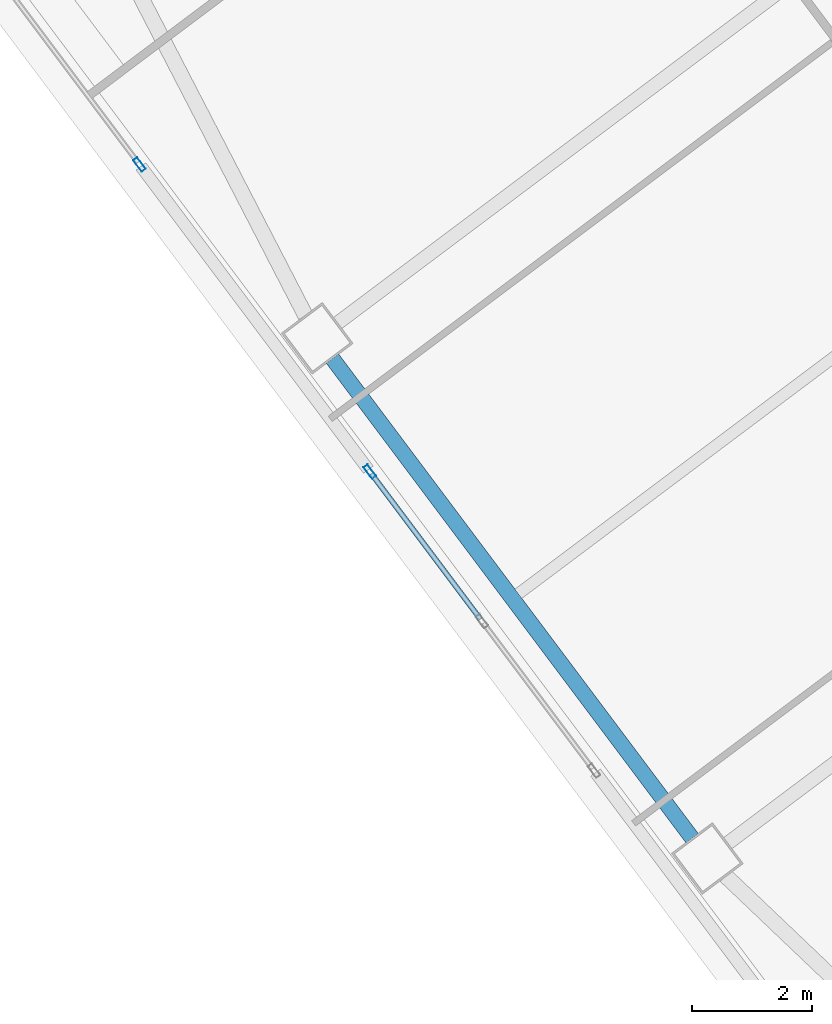
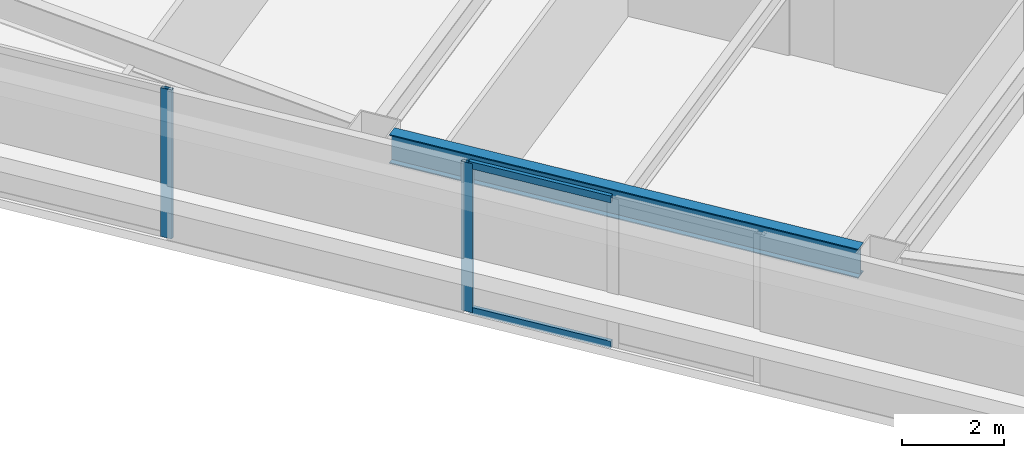
# One storey, part 18 of 45: 4 members, 1 beam, 2 elements without a shape of their own.
"""IFC4 building model written with IfcOpenShell, lengths in metres."""

from ifc_helpers import new_model, si_unit, direction, frame, origin, origin_2d, place, context, subcontext, project, spatial, hollow_rectangle, i_section, extrude, material, material_profile, profile_set, type_object, element, aggregate, save


model = new_model("IFC4")

# Units and contexts
model_context = context("Model", 3, precision=1e-05, world=origin(), true_north=direction((0.0, 1.0)))
body_context = subcontext(model_context, "Body", "Model", "MODEL_VIEW")
ifc_project = project(units=[si_unit("LENGTHUNIT", "METRE"), si_unit("AREAUNIT", "SQUARE_METRE"), si_unit("VOLUMEUNIT", "CUBIC_METRE"), si_unit("PLANEANGLEUNIT", "RADIAN"), si_unit("MASSUNIT", "GRAM", prefix="KILO")], contexts=[model_context])

# Site, building, storey
site_placement = place(None, origin())
site = spatial("IfcSite", under=ifc_project, at=site_placement, CompositionType="ELEMENT")
building_placement = place(site_placement, origin())
building = spatial("IfcBuilding", under=site, at=building_placement, Name="Tashvorn Skyway Center", CompositionType="ELEMENT")
storey_placement = place(building_placement, frame((0.0, 0.0, 35.25)))
storey = spatial("IfcBuildingStorey", under=building, at=storey_placement, Name="L08", CompositionType="ELEMENT", Elevation=35.25)

# Beam
ifc_material_1 = material(Name="Steel ASTM A992 Grade 50", Category="steel")
ifc_material_profile_1 = material_profile(ifc_material_1, i_section(OverallWidth=0.256103515625, OverallDepth=0.693115234375, WebThickness=0.014404296875, FlangeThickness=0.023681640625, at=origin_2d()), Name="W27X114")
ifc_profile_set_1 = profile_set([ifc_material_profile_1], Name="Steel ASTM A992 Grade 50")
beam_type = type_object("IfcBeamType", Name="BM-SPANDREL-W27X114", PredefinedType="SPANDREL", material=ifc_profile_set_1)
beam_placement = place(storey_placement, frame((94.172119140625, 23.35400390625, 3.00341796875), z_axis=(0.599988234018, -0.800008824351, 0.0), x_axis=(0.800008824351, 0.599988234018, 0.0)))
element("IfcBeam", 1, at=beam_placement, inside=storey, type_object=beam_type, Name="Tower 2 L08 Spandrel Beam 11", PredefinedType="SPANDREL", context=body_context, shape_type="SweptSolid", body=[
    extrude(i_section(OverallWidth=0.256103515625, OverallDepth=0.693115234375, WebThickness=0.014404296875, FlangeThickness=0.023681640625, at=origin_2d()), origin(), (0.0, 0.0, 1.0), 9.9599609375),
])

# Curtain wall, member
ifc_material_2 = material(Name="Thermally broken bronze-anodized aluminium 6063-T6", Category="aluminium")
curtain_wall_type = type_object("IfcCurtainWallType", Name="CW-CW-Z1", PredefinedType="NOTDEFINED", material=ifc_material_2)
curtain_wall_1_placement = place(storey_placement, origin())
curtain_wall_1 = element("IfcCurtainWall", 2, at=curtain_wall_1_placement, inside=storey, type_object=curtain_wall_type, Name="Tower 2 L08 West Unitised Curtain Wall Glazing Group 2", PredefinedType="NOTDEFINED")
ifc_material_profile_2 = material_profile(ifc_material_2, hollow_rectangle(XDim=0.0849609375, YDim=0.239990234375, WallThickness=0.0048828125, at=origin_2d()), Name="ALU-MULL-85x240")
ifc_profile_set_2 = profile_set([ifc_material_profile_2], Name="Thermally broken bronze-anodized aluminium 6063-T6")
member_type_1 = type_object("IfcMemberType", Name="CWM-CW-Z1", PredefinedType="MULLION", material=ifc_profile_set_2)
member_1_placement = place(storey_placement, frame((94.79345703125, 21.475341796875, 0.0), z_axis=(0.0, 0.0, 1.0), x_axis=(-0.799996186392, -0.600005084776, 0.0)))
member_1 = element("IfcMember", 3, at=member_1_placement, type_object=member_type_1, Name="CW-Z1 mullion 3", PredefinedType="MULLION", context=body_context, shape_type="SweptSolid", body=[
    extrude(hollow_rectangle(XDim=0.0849609375, YDim=0.239990234375, WallThickness=0.0048828125, at=origin_2d()), origin(), (0.0, 0.0, 1.0), 3.550048828125),
])

curtain_wall_2_placement = place(storey_placement, origin())
curtain_wall_2 = element("IfcCurtainWall", 4, at=curtain_wall_2_placement, inside=storey, type_object=curtain_wall_type, Name="Tower 2 L08 West Unitised Curtain Wall Glazing Group 3", PredefinedType="NOTDEFINED")
member_2_placement = place(storey_placement, frame((90.966552734375, 26.577880859375, 0.0), z_axis=(0.0, 0.0, 1.0), x_axis=(-0.799999999998, -0.600000000002, 0.0)))
member_2 = element("IfcMember", 5, at=member_2_placement, type_object=member_type_1, Name="CW-Z1 mullion 1", PredefinedType="MULLION", context=body_context, shape_type="SweptSolid", body=[
    extrude(hollow_rectangle(XDim=0.0849609375, YDim=0.239990234375, WallThickness=0.0048828125, at=origin_2d()), origin(), (0.0, 0.0, 1.0), 3.550048828125),
])
aggregate(curtain_wall_2, [member_2])

# Member
ifc_material_profile_3 = material_profile(ifc_material_2, hollow_rectangle(XDim=0.0849609375, YDim=0.1650390625, WallThickness=0.0048828125, at=origin_2d()), Name="ALU-TRAN-85x165")
ifc_profile_set_3 = profile_set([ifc_material_profile_3], Name="Thermally broken bronze-anodized aluminium 6063-T6")
member_type_2 = type_object("IfcMemberType", Name="CWT-CW-Z1", PredefinedType="USERDEFINED", material=ifc_profile_set_3)
member_3_placement = place(storey_placement, frame((96.630615234375, 19.02587890625, 0.04248046875), z_axis=(-0.599974124791, 0.800019405753, 0.0), x_axis=(-0.800019405753, -0.599974124791, 0.0)))
member_3 = element("IfcMember", 6, at=member_3_placement, type_object=member_type_2, Name="CW-Z1 transom 2.1", ObjectType="TRANSOM", PredefinedType="USERDEFINED", context=body_context, shape_type="SweptSolid", body=[
    extrude(hollow_rectangle(XDim=0.0849609375, YDim=0.1650390625, WallThickness=0.0048828125, at=origin_2d()), origin(), (0.0, 0.0, 1.0), 3.019287109375),
])

member_4_placement = place(storey_placement, frame((96.630615234375, 19.02587890625, 3.507568359375), z_axis=(-0.599974124791, 0.800019405753, 0.0), x_axis=(-0.800019405753, -0.599974124791, 0.0)))
member_4 = element("IfcMember", 7, at=member_4_placement, type_object=member_type_2, Name="CW-Z1 transom 2.2", ObjectType="TRANSOM", PredefinedType="USERDEFINED", context=body_context, shape_type="SweptSolid", body=[
    extrude(hollow_rectangle(XDim=0.0849609375, YDim=0.1650390625, WallThickness=0.0048828125, at=origin_2d()), origin(), (0.0, 0.0, 1.0), 3.019287109375),
])

aggregate(curtain_wall_1, [member_1, member_3, member_4])

save(model, "model.ifc")
